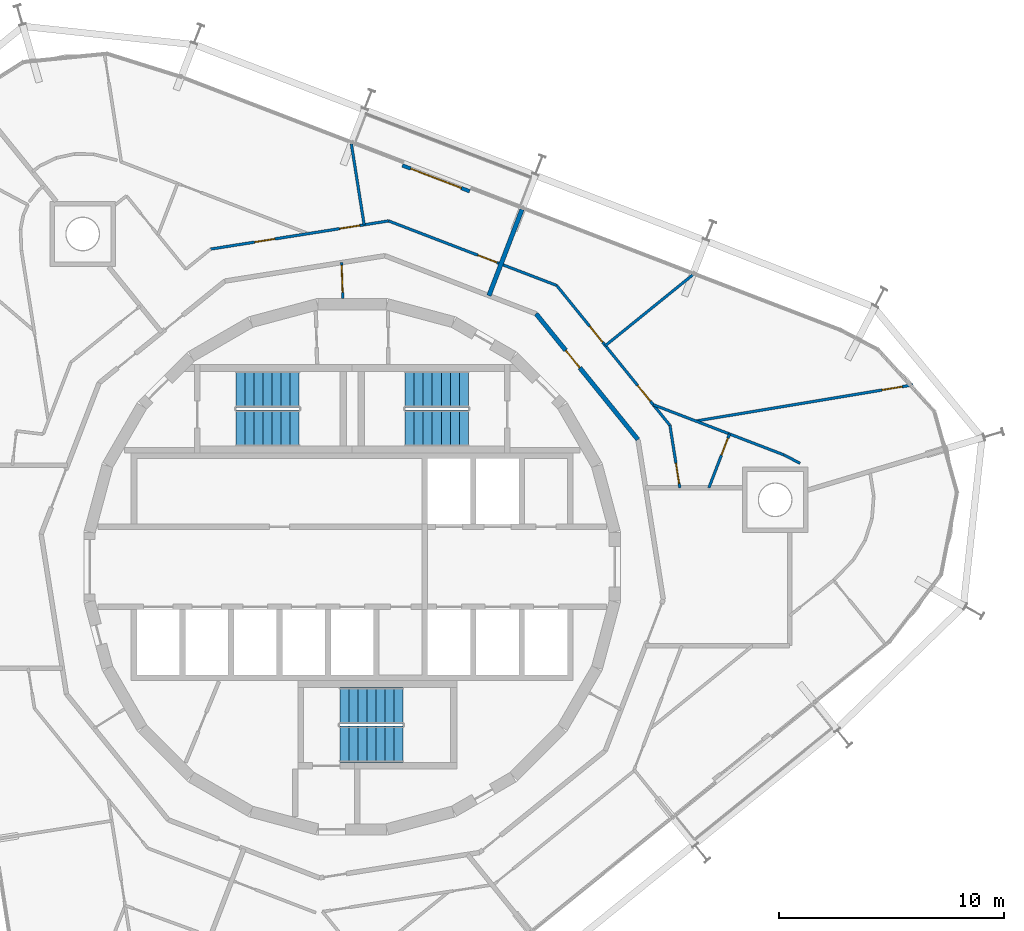
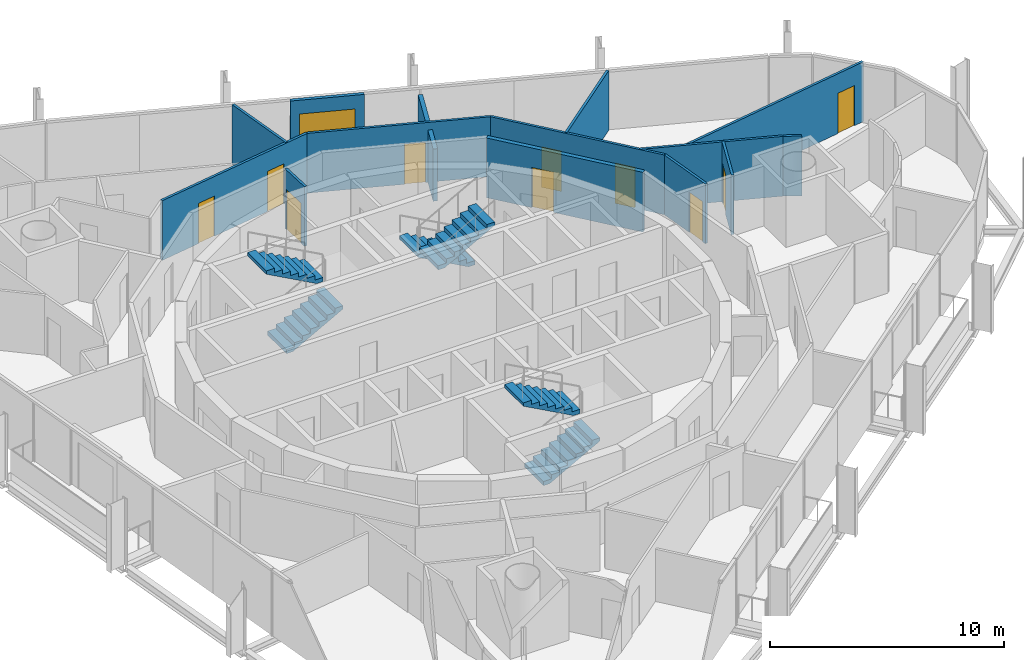
# One storey, part 16 of 17: 14 walls, 11 doors, 6 stair flights, 11 openings, 3 elements without a shape of their own.
"""IFC4 building model written with IfcOpenShell, lengths in metres."""

from ifc_helpers import new_model, si_unit, direction, frame, frame_2d, origin, place, context, subcontext, project, spatial, polyline, rectangle, outline, extrude, material, layer, layer_set, type_object, element, fill, aggregate, save


model = new_model("IFC4")

# Units and contexts
model_context = context("Model", 3, precision=1e-05, world=origin(), true_north=direction((0.0, 1.0)))
body_context = subcontext(model_context, "Body", "Model", "MODEL_VIEW")
ifc_project = project(units=[si_unit("LENGTHUNIT", "METRE"), si_unit("AREAUNIT", "SQUARE_METRE"), si_unit("VOLUMEUNIT", "CUBIC_METRE"), si_unit("PLANEANGLEUNIT", "RADIAN"), si_unit("MASSUNIT", "GRAM", prefix="KILO")], contexts=[model_context])

# Site, building, storey
site_placement = place(None, origin())
site = spatial("IfcSite", under=ifc_project, at=site_placement, CompositionType="ELEMENT")
building_placement = place(site_placement, origin())
building = spatial("IfcBuilding", under=site, at=building_placement, Name="Spindle Arch Residences", CompositionType="ELEMENT")
storey_placement = place(building_placement, frame((0.0, 0.0, 270.39990234375)))
storey = spatial("IfcBuildingStorey", under=building, at=storey_placement, Name="L69", CompositionType="ELEMENT", Elevation=270.39990234375)

# Wall, opening, door
ifc_material_1 = material(Name="Plasterboard on steel studs", Category="steel")
ifc_layer_1 = layer(ifc_material_1, 0.1201171875)
ifc_layer_set_1 = layer_set([ifc_layer_1], Name="Corridor division wall 120")
wall_type_1 = type_object("IfcWallType", Name="Corridor division wall 120", PredefinedType="PARTITIONING", material=ifc_layer_set_1)
wall_1_placement = place(storey_placement, frame((-0.47119140625, 13.492431640625, 0.0), z_axis=(0.0, 0.0, 1.0), x_axis=(0.034873173869, -0.999391745886, 0.0)))
wall_1 = element("IfcWall", 1, at=wall_1_placement, inside=storey, type_object=wall_type_1, Name="Corridor division wall R7A0-W001", PredefinedType="PARTITIONING", context=body_context, shape_type="SweptSolid", body=[
    extrude(rectangle(XDim=1.59619140625, YDim=0.1201171875, at=frame_2d((0.798095703125, 0.0))), origin(), (0.0, 0.0, 1.0), 3.1201171875),
])
opening_1_placement = place(wall_1_placement, frame((0.1201171875, 0.0, 0.0)))
opening_1 = element("IfcOpeningElement", 2, at=opening_1_placement, cuts=wall_1, Name="Opening R7A0-CD01", PredefinedType="OPENING", context=body_context, shape_type="SweptSolid", body=[
    extrude(rectangle(XDim=1.199951171875, YDim=2.10009765625, at=frame_2d((0.60009765625, 1.050048828125))), frame((0.0, 0.070068359375, 0.0), z_axis=(0.0, -1.0, 0.0), x_axis=(1.0, 0.0, 0.0)), (0.0, 0.0, 1.0), 0.14013671875),
])
ifc_material_2 = material(Name="Steel, fire-resisting door", Category="steel")
door_type_1 = type_object("IfcDoorType", Name="Corridor division door 1200x2100", OperationType="NOTDEFINED", PredefinedType="DOOR", material=ifc_material_2)
door_1_placement = place(opening_1_placement, origin())
door_1 = element("IfcDoor", 3, at=door_1_placement, inside=storey, type_object=door_type_1, Name="Corridor division door R7A0-CD01", OperationType="DOUBLE_DOOR_SINGLE_SWING", OverallHeight=2.10009765625, OverallWidth=1.199951171875, PredefinedType="DOOR", context=body_context, shape_type="SweptSolid", body=[
    extrude(rectangle(XDim=1.199951171875, YDim=2.10009765625, at=frame_2d((0.60009765625, 1.050048828125))), frame((0.0, 0.02490234375, 0.0), z_axis=(0.0, -1.0, 0.0), x_axis=(1.0, 0.0, 0.0)), (0.0, 0.0, 1.0), 0.050048828125),
])
fill(opening_1, door_1)

ifc_material_3 = material(Name="Calcium silicate block, plastered")
ifc_layer_2 = layer(ifc_material_3, 0.199951171875)
ifc_layer_set_2 = layer_set([ifc_layer_2], Name="Corridor wall 200")
wall_type_2 = type_object("IfcWallType", Name="Corridor wall 200", PredefinedType="STANDARD", material=ifc_layer_set_2)
wall_2_placement = place(storey_placement, frame((12.67333984375, 5.642578125, 0.0), z_axis=(0.0, 0.0, 1.0), x_axis=(-0.629302871585, 0.777160148113, 0.0)))
wall_2 = element("IfcWall", 4, at=wall_2_placement, inside=storey, type_object=wall_type_2, Name="Corridor wall R7A0-W006", PredefinedType="STANDARD", context=body_context, shape_type="SweptSolid", body=[
    extrude(rectangle(XDim=7.180908203125, YDim=0.199951171875, at=frame_2d((3.59033203125, 0.0))), origin(), (0.0, 0.0, 1.0), 3.1201171875),
])
opening_2_placement = place(wall_2_placement, frame((4.10009765625, 0.0, 0.0)))
opening_2 = element("IfcOpeningElement", 5, at=opening_2_placement, cuts=wall_2, Name="Opening R7A0-FD01", PredefinedType="OPENING", context=body_context, shape_type="SweptSolid", body=[
    extrude(rectangle(XDim=1.0, YDim=2.10009765625, at=frame_2d((0.5, 1.050048828125))), frame((0.0, 0.10986328125, 0.0), z_axis=(0.0, -1.0, 0.0), x_axis=(1.0, 0.0, 0.0)), (0.0, 0.0, 1.0), 0.219970703125),
])
ifc_material_4 = material(Name="Timber, fire-resisting door set", Category="wood")
door_type_2 = type_object("IfcDoorType", Name="Flat entrance door 1000x2100", OperationType="NOTDEFINED", PredefinedType="DOOR", material=ifc_material_4)
door_2_placement = place(opening_2_placement, origin())
door_2 = element("IfcDoor", 6, at=door_2_placement, inside=storey, type_object=door_type_2, Name="Flat entrance door R7A0-FD01", OperationType="SINGLE_SWING_LEFT", OverallHeight=2.10009765625, OverallWidth=1.0, PredefinedType="DOOR", context=body_context, shape_type="SweptSolid", body=[
    extrude(rectangle(XDim=1.0, YDim=2.10009765625, at=frame_2d((0.5, 1.050048828125))), frame((0.0, 0.02490234375, 0.0), z_axis=(0.0, -1.0, 0.0), x_axis=(1.0, 0.0, 0.0)), (0.0, 0.0, 1.0), 0.050048828125),
])
fill(opening_2, door_2)

ifc_material_5 = material(Name="Plasterboard on steel studs", Category="steel")
ifc_layer_3 = layer(ifc_material_5, 0.1201171875)
ifc_layer_set_3 = layer_set([ifc_layer_3], Name="Flat partition 120")
wall_type_3 = type_object("IfcWallType", Name="Flat partition 120", PredefinedType="PARTITIONING", material=ifc_layer_set_3)
wall_3_placement = place(storey_placement, frame((14.531494140625, 3.5, 0.0), z_axis=(0.0, 0.0, 1.0), x_axis=(-0.1564580042, 0.987684612071, 0.0)))
wall_3 = element("IfcWall", 7, at=wall_3_placement, inside=storey, type_object=wall_type_3, Name="Flat partition R7A0-W030", PredefinedType="PARTITIONING", context=body_context, shape_type="SweptSolid", body=[
    extrude(rectangle(XDim=2.808837890625, YDim=0.1201171875, at=frame_2d((1.404296875, 0.0))), origin(), (0.0, 0.0, 1.0), 3.1201171875),
])
opening_3_placement = place(wall_3_placement, frame((0.199951171875, 0.0, 0.0)))
opening_3 = element("IfcOpeningElement", 8, at=opening_3_placement, cuts=wall_3, Name="Opening R7A0-ID01", PredefinedType="OPENING", context=body_context, shape_type="SweptSolid", body=[
    extrude(rectangle(XDim=0.89990234375, YDim=2.10009765625, at=frame_2d((0.449951171875, 1.050048828125))), frame((0.0, 0.070068359375, 0.0), z_axis=(0.0, -1.0, 0.0), x_axis=(1.0, 0.0, 0.0)), (0.0, 0.0, 1.0), 0.14013671875),
])
ifc_material_6 = material(Name="Timber door set", Category="wood")
door_type_3 = type_object("IfcDoorType", Name="Room door 900x2100", OperationType="NOTDEFINED", PredefinedType="DOOR", material=ifc_material_6)
door_3_placement = place(opening_3_placement, origin())
door_3 = element("IfcDoor", 9, at=door_3_placement, inside=storey, type_object=door_type_3, Name="Room door R7A0-ID01", OperationType="SINGLE_SWING_LEFT", OverallHeight=2.10009765625, OverallWidth=0.89990234375, PredefinedType="DOOR", context=body_context, shape_type="SweptSolid", body=[
    extrude(rectangle(XDim=0.89990234375, YDim=2.10009765625, at=frame_2d((0.449951171875, 1.050048828125))), frame((0.0, 0.02490234375, 0.0), z_axis=(0.0, -1.0, 0.0), x_axis=(1.0, 0.0, 0.0)), (0.0, 0.0, 1.0), 0.050048828125),
])
fill(opening_3, door_3)

# Wall, openings, doors
wall_4_placement = place(storey_placement, frame((14.092041015625, 6.274169921875, 0.0), z_axis=(0.0, 0.0, 1.0), x_axis=(-0.62933367237, 0.777135206268, 0.0)))
wall_4 = element("IfcWall", 10, at=wall_4_placement, inside=storey, type_object=wall_type_3, Name="Flat partition R7A0-W031", PredefinedType="PARTITIONING", context=body_context, shape_type="SweptSolid", body=[
    extrude(rectangle(XDim=7.98486328125, YDim=0.1201171875, at=frame_2d((3.992431640625, 0.0))), origin(), (0.0, 0.0, 1.0), 3.1201171875),
])
opening_4_placement = place(wall_4_placement, frame((1.3779296875, 0.0, 0.0)))
opening_4 = element("IfcOpeningElement", 11, at=opening_4_placement, cuts=wall_4, Name="Opening R7A0-ID02", PredefinedType="OPENING", context=body_context, shape_type="SweptSolid", body=[
    extrude(rectangle(XDim=0.89990234375, YDim=2.10009765625, at=frame_2d((0.449951171875, 1.050048828125))), frame((0.0, 0.070068359375, 0.0), z_axis=(0.0, -1.0, 0.0), x_axis=(1.0, 0.0, 0.0)), (0.0, 0.0, 1.0), 0.14013671875),
])
opening_5_placement = place(wall_4_placement, frame((4.7490234375, 0.0, 0.0)))
opening_5 = element("IfcOpeningElement", 12, at=opening_5_placement, cuts=wall_4, Name="Opening R7A0-ID03", PredefinedType="OPENING", context=body_context, shape_type="SweptSolid", body=[
    extrude(rectangle(XDim=0.89990234375, YDim=2.10009765625, at=frame_2d((0.449951171875, 1.050048828125))), frame((0.0, 0.070068359375, 0.0), z_axis=(0.0, -1.0, 0.0), x_axis=(1.0, 0.0, 0.0)), (0.0, 0.0, 1.0), 0.14013671875),
])
door_4_placement = place(opening_4_placement, origin())
door_4 = element("IfcDoor", 13, at=door_4_placement, inside=storey, type_object=door_type_3, Name="Room door R7A0-ID02", OperationType="SINGLE_SWING_LEFT", OverallHeight=2.10009765625, OverallWidth=0.89990234375, PredefinedType="DOOR", context=body_context, shape_type="SweptSolid", body=[
    extrude(rectangle(XDim=0.89990234375, YDim=2.10009765625, at=frame_2d((0.449951171875, 1.050048828125))), frame((0.0, 0.02490234375, 0.0), z_axis=(0.0, -1.0, 0.0), x_axis=(1.0, 0.0, 0.0)), (0.0, 0.0, 1.0), 0.050048828125),
])
fill(opening_4, door_4)
door_5_placement = place(opening_5_placement, origin())
door_5 = element("IfcDoor", 14, at=door_5_placement, inside=storey, type_object=door_type_3, Name="Room door R7A0-ID03", OperationType="SINGLE_SWING_LEFT", OverallHeight=2.10009765625, OverallWidth=0.89990234375, PredefinedType="DOOR", context=body_context, shape_type="SweptSolid", body=[
    extrude(rectangle(XDim=0.89990234375, YDim=2.10009765625, at=frame_2d((0.449951171875, 1.050048828125))), frame((0.0, 0.02490234375, 0.0), z_axis=(0.0, -1.0, 0.0), x_axis=(1.0, 0.0, 0.0)), (0.0, 0.0, 1.0), 0.050048828125),
])
fill(opening_5, door_5)

# Wall, opening, door
wall_5_placement = place(storey_placement, frame((9.06689453125, 12.4794921875, 0.0), z_axis=(0.0, 0.0, 1.0), x_axis=(-0.933579449035, 0.358370495911, 0.0)))
wall_5 = element("IfcWall", 15, at=wall_5_placement, inside=storey, type_object=wall_type_3, Name="Flat partition R7A0-W032", PredefinedType="PARTITIONING", context=body_context, shape_type="SweptSolid", body=[
    extrude(rectangle(XDim=7.98486328125, YDim=0.1201171875, at=frame_2d((3.992431640625, 0.0))), origin(), (0.0, 0.0, 1.0), 3.1201171875),
])
opening_6_placement = place(wall_5_placement, frame((2.841064453125, 0.0, 0.0)))
opening_6 = element("IfcOpeningElement", 16, at=opening_6_placement, cuts=wall_5, Name="Opening R7A0-ID05", PredefinedType="OPENING", context=body_context, shape_type="SweptSolid", body=[
    extrude(rectangle(XDim=0.89990234375, YDim=2.10009765625, at=frame_2d((0.449951171875, 1.050048828125))), frame((0.0, 0.070068359375, 0.0), z_axis=(0.0, -1.0, 0.0), x_axis=(1.0, 0.0, 0.0)), (0.0, 0.0, 1.0), 0.14013671875),
])
door_6_placement = place(opening_6_placement, origin())
door_6 = element("IfcDoor", 17, at=door_6_placement, inside=storey, type_object=door_type_3, Name="Room door R7A0-ID05", OperationType="SINGLE_SWING_LEFT", OverallHeight=2.10009765625, OverallWidth=0.89990234375, PredefinedType="DOOR", context=body_context, shape_type="SweptSolid", body=[
    extrude(rectangle(XDim=0.89990234375, YDim=2.10009765625, at=frame_2d((0.449951171875, 1.050048828125))), frame((0.0, 0.02490234375, 0.0), z_axis=(0.0, -1.0, 0.0), x_axis=(1.0, 0.0, 0.0)), (0.0, 0.0, 1.0), 0.050048828125),
])
fill(opening_6, door_6)

# Walls
wall_6_placement = place(storey_placement, frame((19.864501953125, 4.589111328125, 0.0), z_axis=(0.0, 0.0, 1.0), x_axis=(-0.885855229108, 0.46396175819, 0.0)))
element("IfcWall", 18, at=wall_6_placement, inside=storey, type_object=wall_type_3, Name="Flat partition R7A0-W033", PredefinedType="PARTITIONING", context=body_context, shape_type="SweptSolid", body=[
    extrude(rectangle(XDim=0.806640625, YDim=0.1201171875, at=frame_2d((0.4033203125, 0.0))), origin(), (0.0, 0.0, 1.0), 3.1201171875),
])
wall_7_placement = place(storey_placement, frame((19.14990234375, 4.96337890625, 0.0), z_axis=(0.0, 0.0, 1.0), x_axis=(-0.933571304602, 0.358391711992, 0.0)))
element("IfcWall", 19, at=wall_7_placement, inside=storey, type_object=wall_type_3, Name="Flat partition R7A0-W034", PredefinedType="PARTITIONING", context=body_context, shape_type="SweptSolid", body=[
    extrude(rectangle(XDim=6.2119140625, YDim=0.1201171875, at=frame_2d((3.10595703125, 0.0))), origin(), (0.0, 0.0, 1.0), 3.1201171875),
])

# Wall, opening, door
wall_8_placement = place(storey_placement, frame((16.736572265625, 5.889892578125, 0.0), z_axis=(0.0, 0.0, 1.0), x_axis=(-0.358397454141, -0.933569100209, 0.0)))
wall_8 = element("IfcWall", 20, at=wall_8_placement, inside=storey, type_object=wall_type_3, Name="Flat partition R7A0-W035", PredefinedType="PARTITIONING", context=body_context, shape_type="SweptSolid", body=[
    extrude(rectangle(XDim=2.56005859375, YDim=0.1201171875, at=frame_2d((1.280029296875, 0.0))), origin(), (0.0, 0.0, 1.0), 3.1201171875),
])
opening_7_placement = place(wall_8_placement, frame((0.199951171875, 0.0, 0.0)))
opening_7 = element("IfcOpeningElement", 21, at=opening_7_placement, cuts=wall_8, Name="Opening R7A0-BD01", PredefinedType="OPENING", context=body_context, shape_type="SweptSolid", body=[
    extrude(rectangle(XDim=0.800048828125, YDim=2.10009765625, at=frame_2d((0.39990234375, 1.050048828125))), frame((0.0, 0.070068359375, 0.0), z_axis=(0.0, -1.0, 0.0), x_axis=(1.0, 0.0, 0.0)), (0.0, 0.0, 1.0), 0.14013671875),
])
ifc_material_7 = material(Name="Timber door set", Category="wood")
door_type_4 = type_object("IfcDoorType", Name="Bathroom door 800x2100", OperationType="NOTDEFINED", PredefinedType="DOOR", material=ifc_material_7)
door_7_placement = place(opening_7_placement, origin())
door_7 = element("IfcDoor", 22, at=door_7_placement, inside=storey, type_object=door_type_4, Name="Bathroom door R7A0-BD01", OperationType="SINGLE_SWING_LEFT", OverallHeight=2.10009765625, OverallWidth=0.800048828125, PredefinedType="DOOR", context=body_context, shape_type="SweptSolid", body=[
    extrude(rectangle(XDim=0.800048828125, YDim=2.10009765625, at=frame_2d((0.39990234375, 1.050048828125))), frame((0.0, 0.02490234375, 0.0), z_axis=(0.0, -1.0, 0.0), x_axis=(1.0, 0.0, 0.0)), (0.0, 0.0, 1.0), 0.050048828125),
])
fill(opening_7, door_7)

wall_9_placement = place(storey_placement, frame((24.8798828125, 8.07080078125, 0.0), z_axis=(0.0, 0.0, 1.0), x_axis=(-0.986414168431, -0.164277473558, 0.0)))
wall_9 = element("IfcWall", 23, at=wall_9_placement, inside=storey, type_object=wall_type_3, Name="Flat partition R7A0-W036", PredefinedType="PARTITIONING", context=body_context, shape_type="SweptSolid", body=[
    extrude(rectangle(XDim=9.7744140625, YDim=0.1201171875, at=frame_2d((4.88720703125, 0.0))), origin(), (0.0, 0.0, 1.0), 3.1201171875),
])
opening_8_placement = place(wall_9_placement, frame((0.5, 0.0, 0.0)))
opening_8 = element("IfcOpeningElement", 24, at=opening_8_placement, cuts=wall_9, Name="Opening R7A0-ID04", PredefinedType="OPENING", context=body_context, shape_type="SweptSolid", body=[
    extrude(rectangle(XDim=0.89990234375, YDim=2.10009765625, at=frame_2d((0.449951171875, 1.050048828125))), frame((0.0, 0.070068359375, 0.0), z_axis=(0.0, -1.0, 0.0), x_axis=(1.0, 0.0, 0.0)), (0.0, 0.0, 1.0), 0.14013671875),
])
door_8_placement = place(opening_8_placement, origin())
door_8 = element("IfcDoor", 25, at=door_8_placement, inside=storey, type_object=door_type_3, Name="Room door R7A0-ID04", OperationType="SINGLE_SWING_LEFT", OverallHeight=2.10009765625, OverallWidth=0.89990234375, PredefinedType="DOOR", context=body_context, shape_type="SweptSolid", body=[
    extrude(rectangle(XDim=0.89990234375, YDim=2.10009765625, at=frame_2d((0.449951171875, 1.050048828125))), frame((0.0, 0.02490234375, 0.0), z_axis=(0.0, -1.0, 0.0), x_axis=(1.0, 0.0, 0.0)), (0.0, 0.0, 1.0), 0.050048828125),
])
fill(opening_8, door_8)

# Wall
wall_10_placement = place(storey_placement, frame((15.100830078125, 12.944580078125, 0.0), z_axis=(0.0, 0.0, 1.0), x_axis=(-0.777178675378, -0.629279990575, 0.0)))
element("IfcWall", 26, at=wall_10_placement, inside=storey, type_object=wall_type_3, Name="Flat partition R7A0-W037", PredefinedType="PARTITIONING", context=body_context, shape_type="SweptSolid", body=[
    extrude(rectangle(XDim=4.98193359375, YDim=0.1201171875, at=frame_2d((2.490966796875, 0.0))), origin(), (0.0, 0.0, 1.0), 3.1201171875),
])

# Wall, openings, doors
wall_11_placement = place(storey_placement, frame((1.6123046875, 15.341064453125, 0.0), z_axis=(0.0, 0.0, 1.0), x_axis=(-0.987689722749, -0.156425738216, 0.0)))
wall_11 = element("IfcWall", 27, at=wall_11_placement, inside=storey, type_object=wall_type_3, Name="Flat partition R7A0-W038", PredefinedType="PARTITIONING", context=body_context, shape_type="SweptSolid", body=[
    extrude(rectangle(XDim=7.98486328125, YDim=0.1201171875, at=frame_2d((3.992431640625, 0.0))), origin(), (0.0, 0.0, 1.0), 3.1201171875),
])
opening_9_placement = place(wall_11_placement, frame((1.29541015625, 0.0, 0.0)))
opening_9 = element("IfcOpeningElement", 28, at=opening_9_placement, cuts=wall_11, Name="Opening R7A0-ID06", PredefinedType="OPENING", context=body_context, shape_type="SweptSolid", body=[
    extrude(rectangle(XDim=0.89990234375, YDim=2.10009765625, at=frame_2d((0.449951171875, 1.050048828125))), frame((0.0, 0.070068359375, 0.0), z_axis=(0.0, -1.0, 0.0), x_axis=(1.0, 0.0, 0.0)), (0.0, 0.0, 1.0), 0.14013671875),
])
opening_10_placement = place(wall_11_placement, frame((5.10693359375, 0.0, 0.0)))
opening_10 = element("IfcOpeningElement", 29, at=opening_10_placement, cuts=wall_11, Name="Opening R7A0-ID07", PredefinedType="OPENING", context=body_context, shape_type="SweptSolid", body=[
    extrude(rectangle(XDim=0.89990234375, YDim=2.10009765625, at=frame_2d((0.449951171875, 1.050048828125))), frame((0.0, 0.070068359375, 0.0), z_axis=(0.0, -1.0, 0.0), x_axis=(1.0, 0.0, 0.0)), (0.0, 0.0, 1.0), 0.14013671875),
])
door_9_placement = place(opening_9_placement, origin())
door_9 = element("IfcDoor", 30, at=door_9_placement, inside=storey, type_object=door_type_3, Name="Room door R7A0-ID06", OperationType="SINGLE_SWING_RIGHT", OverallHeight=2.10009765625, OverallWidth=0.89990234375, PredefinedType="DOOR", context=body_context, shape_type="SweptSolid", body=[
    extrude(rectangle(XDim=0.89990234375, YDim=2.10009765625, at=frame_2d((0.449951171875, 1.050048828125))), frame((0.0, 0.02490234375, 0.0), z_axis=(0.0, -1.0, 0.0), x_axis=(1.0, 0.0, 0.0)), (0.0, 0.0, 1.0), 0.050048828125),
])
fill(opening_9, door_9)
door_10_placement = place(opening_10_placement, origin())
door_10 = element("IfcDoor", 31, at=door_10_placement, inside=storey, type_object=door_type_3, Name="Room door R7A0-ID07", OperationType="SINGLE_SWING_RIGHT", OverallHeight=2.10009765625, OverallWidth=0.89990234375, PredefinedType="DOOR", context=body_context, shape_type="SweptSolid", body=[
    extrude(rectangle(XDim=0.89990234375, YDim=2.10009765625, at=frame_2d((0.449951171875, 1.050048828125))), frame((0.0, 0.02490234375, 0.0), z_axis=(0.0, -1.0, 0.0), x_axis=(1.0, 0.0, 0.0)), (0.0, 0.0, 1.0), 0.050048828125),
])
fill(opening_10, door_10)

# Walls
wall_12_placement = place(storey_placement, frame((-0.037353515625, 18.755615234375, 0.0), z_axis=(0.0, 0.0, 1.0), x_axis=(0.156421851095, -0.987690338365, 0.0)))
element("IfcWall", 32, at=wall_12_placement, inside=storey, type_object=wall_type_3, Name="Flat partition R7A0-W042", PredefinedType="PARTITIONING", context=body_context, shape_type="SweptSolid", body=[
    extrude(rectangle(XDim=3.63037109375, YDim=0.1201171875, at=frame_2d((1.815185546875, 0.0))), origin(), (0.0, 0.0, 1.0), 3.1201171875),
])
ifc_material_8 = material(Name="Calcium silicate block, plastered")
ifc_layer_4 = layer(ifc_material_8, 0.199951171875)
ifc_layer_set_4 = layer_set([ifc_layer_4], Name="Flat party wall 200 under beam 2730")
wall_type_4 = type_object("IfcWallType", Name="Flat party wall 200 under beam 2730", PredefinedType="STANDARD", material=ifc_layer_set_4)
wall_13_placement = place(storey_placement, frame((7.53173828125, 15.85009765625, 0.0), z_axis=(0.0, 0.0, 1.0), x_axis=(-0.358355996975, -0.933585014571, 0.0)))
element("IfcWall", 33, at=wall_13_placement, inside=storey, type_object=wall_type_4, Name="Flat party wall R7A0-W023", PredefinedType="STANDARD", context=body_context, shape_type="SweptSolid", body=[
    extrude(rectangle(XDim=4.096435546875, YDim=0.199951171875, at=frame_2d((2.04833984375, 0.0))), origin(), (0.0, 0.0, 1.0), 2.72998046875),
])

# Wall, opening, door
ifc_material_9 = material(Name="Non-combustible mineral wool insulated aluminium faced external wall (K0)", Category="aluminium")
ifc_layer_5 = layer(ifc_material_9, 0.159912109375)
ifc_layer_set_5 = layer_set([ifc_layer_5], Name="Insulated external wall panel 160")
wall_type_5 = type_object("IfcWallType", Name="Insulated external wall panel 160", PredefinedType="STANDARD", material=ifc_layer_set_5)
wall_14_placement = place(storey_placement, frame((5.212158203125, 16.655029296875, 0.0), z_axis=(0.0, 0.0, 1.0), x_axis=(-0.933579413923, 0.358370587381, 0.0)))
wall_14 = element("IfcWall", 34, at=wall_14_placement, inside=storey, type_object=wall_type_5, Name="External wall L69 bay 7", PredefinedType="STANDARD", context=body_context, shape_type="SweptSolid", body=[
    extrude(rectangle(XDim=3.199951171875, YDim=0.159912109375, at=frame_2d((1.60009765625, 0.0))), origin(), (0.0, 0.0, 1.0), 3.1201171875),
])
opening_11_placement = place(wall_14_placement, frame((0.39990234375, 0.0, 0.0)))
opening_11 = element("IfcOpeningElement", 35, at=opening_11_placement, cuts=wall_14, Name="Opening BD07", PredefinedType="OPENING", context=body_context, shape_type="SweptSolid", body=[
    extrude(rectangle(XDim=2.39990234375, YDim=2.39990234375, at=frame_2d((1.199951171875, 1.199951171875))), frame((0.0, 0.08984375, 0.0), z_axis=(0.0, -1.0, 0.0), x_axis=(1.0, 0.0, 0.0)), (0.0, 0.0, 1.0), 0.179931640625),
])
ifc_material_10 = material(Name="Bronze aluminium frame, tinted double glazing", Category="aluminium")
door_type_5 = type_object("IfcDoorType", Name="Sliding glazed balcony door 2400x2400", OperationType="DOUBLE_DOOR_SLIDING", PredefinedType="DOOR", material=ifc_material_10)
door_11_placement = place(opening_11_placement, origin())
door_11 = element("IfcDoor", 36, at=door_11_placement, inside=storey, type_object=door_type_5, Name="Balcony door BD07", OperationType="DOUBLE_DOOR_SLIDING", OverallHeight=2.39990234375, OverallWidth=2.39990234375, PredefinedType="DOOR", context=body_context, shape_type="SweptSolid", body=[
    extrude(rectangle(XDim=2.39990234375, YDim=2.39990234375, at=frame_2d((1.199951171875, 1.199951171875))), frame((0.0, 0.02490234375, 0.0), z_axis=(0.0, -1.0, 0.0), x_axis=(1.0, 0.0, 0.0)), (0.0, 0.0, 1.0), 0.050048828125),
])
fill(opening_11, door_11)

# Stair, stair flights
ifc_material_11 = material(Name="Concrete C50/60", Category="concrete")
stair_type = type_object("IfcStairType", Name="Exit stair 16 risers", PredefinedType="HALF_TURN_STAIR", material=ifc_material_11)
stair_1_placement = place(storey_placement, origin())
stair_1 = element("IfcStair", 37, at=stair_1_placement, inside=storey, type_object=stair_type, Name="L69 Exit stair ST1", PredefinedType="HALF_TURN_STAIR")
ifc_material_12 = material(Name="Concrete C50/60", Category="concrete")
stair_flight_type = type_object("IfcStairFlightType", Name="Exit stair flight", PredefinedType="STRAIGHT", material=ifc_material_12)
stair_flight_1_placement = place(storey_placement, frame((5.14990234375, 7.8701171875, 0.0), z_axis=(0.0, 0.0, 1.0), x_axis=(-1.0, 0.0, 0.0)))
stair_flight_1 = element("IfcStairFlight", 38, at=stair_flight_1_placement, type_object=stair_flight_type, Name="ST1 flight 1", NumberOfRisers=8, NumberOfTreads=7, PredefinedType="STRAIGHT", RiserHeight=0.21875, TreadLength=0.4, context=body_context, shape_type="SweptSolid", body=[
    extrude(outline(polyline([(0.0, 0.0), (0.0, 0.21875), (0.39990234375, 0.21875), (0.39990234375, 0.4375), (0.800048828125, 0.4375), (0.800048828125, 0.65625), (1.199951171875, 0.65625), (1.199951171875, 0.875), (1.60009765625, 0.875), (1.60009765625, 1.09375), (2.0, 1.09375), (2.0, 1.3125), (2.39990234375, 1.3125), (2.39990234375, 1.53125), (2.800048828125, 1.53125), (2.800048828125, 1.75), (2.800048828125, 1.3603515625), (0.3125, 0.0), (0.0, 0.0)])), frame((0.0, 0.800048828125, 0.0), z_axis=(0.0, -1.0, 0.0), x_axis=(1.0, 0.0, 0.0)), (0.0, 0.0, 1.0), 1.60009765625),
])
stair_flight_2_placement = place(storey_placement, frame((2.35009765625, 6.14990234375, 1.75), z_axis=(0.0, 0.0, 1.0), x_axis=(1.0, 0.0, 0.0)))
stair_flight_2 = element("IfcStairFlight", 39, at=stair_flight_2_placement, type_object=stair_flight_type, Name="ST1 flight 2", NumberOfRisers=8, NumberOfTreads=7, PredefinedType="STRAIGHT", RiserHeight=0.21875, TreadLength=0.4, context=body_context, shape_type="SweptSolid", body=[
    extrude(outline(polyline([(0.0, 0.0), (0.0, 0.21875), (0.39990234375, 0.21875), (0.39990234375, 0.4375), (0.800048828125, 0.4375), (0.800048828125, 0.65625), (1.199951171875, 0.65625), (1.199951171875, 0.875), (1.60009765625, 0.875), (1.60009765625, 1.09375), (2.0, 1.09375), (2.0, 1.3125), (2.39990234375, 1.3125), (2.39990234375, 1.53125), (2.800048828125, 1.53125), (2.800048828125, 1.75), (2.800048828125, 1.3603515625), (0.3125, 0.0), (0.0, 0.0)])), frame((0.0, 0.800048828125, 0.0), z_axis=(0.0, -1.0, 0.0), x_axis=(1.0, 0.0, 0.0)), (0.0, 0.0, 1.0), 1.60009765625),
])
aggregate(stair_1, [stair_flight_1, stair_flight_2])

stair_2_placement = place(storey_placement, origin())
stair_2 = element("IfcStair", 40, at=stair_2_placement, inside=storey, type_object=stair_type, Name="L69 Exit stair ST2", PredefinedType="HALF_TURN_STAIR")
stair_flight_3_placement = place(storey_placement, frame((-5.14990234375, 6.14990234375, 0.0), z_axis=(0.0, 0.0, 1.0), x_axis=(1.0, 0.0, 0.0)))
stair_flight_3 = element("IfcStairFlight", 41, at=stair_flight_3_placement, type_object=stair_flight_type, Name="ST2 flight 1", NumberOfRisers=8, NumberOfTreads=7, PredefinedType="STRAIGHT", RiserHeight=0.21875, TreadLength=0.4, context=body_context, shape_type="SweptSolid", body=[
    extrude(outline(polyline([(0.0, 0.0), (0.0, 0.21875), (0.39990234375, 0.21875), (0.39990234375, 0.4375), (0.800048828125, 0.4375), (0.800048828125, 0.65625), (1.199951171875, 0.65625), (1.199951171875, 0.875), (1.60009765625, 0.875), (1.60009765625, 1.09375), (2.0, 1.09375), (2.0, 1.3125), (2.39990234375, 1.3125), (2.39990234375, 1.53125), (2.800048828125, 1.53125), (2.800048828125, 1.75), (2.800048828125, 1.3603515625), (0.3125, 0.0), (0.0, 0.0)])), frame((0.0, 0.800048828125, 0.0), z_axis=(0.0, -1.0, 0.0), x_axis=(1.0, 0.0, 0.0)), (0.0, 0.0, 1.0), 1.60009765625),
])
stair_flight_4_placement = place(storey_placement, frame((-2.35009765625, 7.8701171875, 1.75), z_axis=(0.0, 0.0, 1.0), x_axis=(-1.0, 0.0, 0.0)))
stair_flight_4 = element("IfcStairFlight", 42, at=stair_flight_4_placement, type_object=stair_flight_type, Name="ST2 flight 2", NumberOfRisers=8, NumberOfTreads=7, PredefinedType="STRAIGHT", RiserHeight=0.21875, TreadLength=0.4, context=body_context, shape_type="SweptSolid", body=[
    extrude(outline(polyline([(0.0, 0.0), (0.0, 0.21875), (0.39990234375, 0.21875), (0.39990234375, 0.4375), (0.800048828125, 0.4375), (0.800048828125, 0.65625), (1.199951171875, 0.65625), (1.199951171875, 0.875), (1.60009765625, 0.875), (1.60009765625, 1.09375), (2.0, 1.09375), (2.0, 1.3125), (2.39990234375, 1.3125), (2.39990234375, 1.53125), (2.800048828125, 1.53125), (2.800048828125, 1.75), (2.800048828125, 1.3603515625), (0.3125, 0.0), (0.0, 0.0)])), frame((0.0, 0.800048828125, 0.0), z_axis=(0.0, -1.0, 0.0), x_axis=(1.0, 0.0, 0.0)), (0.0, 0.0, 1.0), 1.60009765625),
])
aggregate(stair_2, [stair_flight_3, stair_flight_4])

stair_3_placement = place(storey_placement, origin())
stair_3 = element("IfcStair", 43, at=stair_3_placement, inside=storey, type_object=stair_type, Name="L69 Exit stair ST3", PredefinedType="HALF_TURN_STAIR")
stair_flight_5_placement = place(storey_placement, frame((-0.550048828125, -7.8701171875, 0.0), z_axis=(0.0, 0.0, 1.0), x_axis=(1.0, 0.0, 0.0)))
stair_flight_5 = element("IfcStairFlight", 44, at=stair_flight_5_placement, type_object=stair_flight_type, Name="ST3 flight 1", NumberOfRisers=8, NumberOfTreads=7, PredefinedType="STRAIGHT", RiserHeight=0.21875, TreadLength=0.4, context=body_context, shape_type="SweptSolid", body=[
    extrude(outline(polyline([(0.0, 0.0), (0.0, 0.21875), (0.39990234375, 0.21875), (0.39990234375, 0.4375), (0.800048828125, 0.4375), (0.800048828125, 0.65625), (1.199951171875, 0.65625), (1.199951171875, 0.875), (1.60009765625, 0.875), (1.60009765625, 1.09375), (2.0, 1.09375), (2.0, 1.3125), (2.39990234375, 1.3125), (2.39990234375, 1.53125), (2.800048828125, 1.53125), (2.800048828125, 1.75), (2.800048828125, 1.3603515625), (0.3125, 0.0), (0.0, 0.0)])), frame((0.0, 0.800048828125, 0.0), z_axis=(0.0, -1.0, 0.0), x_axis=(1.0, 0.0, 0.0)), (0.0, 0.0, 1.0), 1.60009765625),
])
stair_flight_6_placement = place(storey_placement, frame((2.25, -6.14990234375, 1.75), z_axis=(0.0, 0.0, 1.0), x_axis=(-1.0, 0.0, 0.0)))
stair_flight_6 = element("IfcStairFlight", 45, at=stair_flight_6_placement, type_object=stair_flight_type, Name="ST3 flight 2", NumberOfRisers=8, NumberOfTreads=7, PredefinedType="STRAIGHT", RiserHeight=0.21875, TreadLength=0.4, context=body_context, shape_type="SweptSolid", body=[
    extrude(outline(polyline([(0.0, 0.0), (0.0, 0.21875), (0.39990234375, 0.21875), (0.39990234375, 0.4375), (0.800048828125, 0.4375), (0.800048828125, 0.65625), (1.199951171875, 0.65625), (1.199951171875, 0.875), (1.60009765625, 0.875), (1.60009765625, 1.09375), (2.0, 1.09375), (2.0, 1.3125), (2.39990234375, 1.3125), (2.39990234375, 1.53125), (2.800048828125, 1.53125), (2.800048828125, 1.75), (2.800048828125, 1.3603515625), (0.3125, 0.0), (0.0, 0.0)])), frame((0.0, 0.800048828125, 0.0), z_axis=(0.0, -1.0, 0.0), x_axis=(1.0, 0.0, 0.0)), (0.0, 0.0, 1.0), 1.60009765625),
])
aggregate(stair_3, [stair_flight_5, stair_flight_6])

save(model, "model.ifc")
